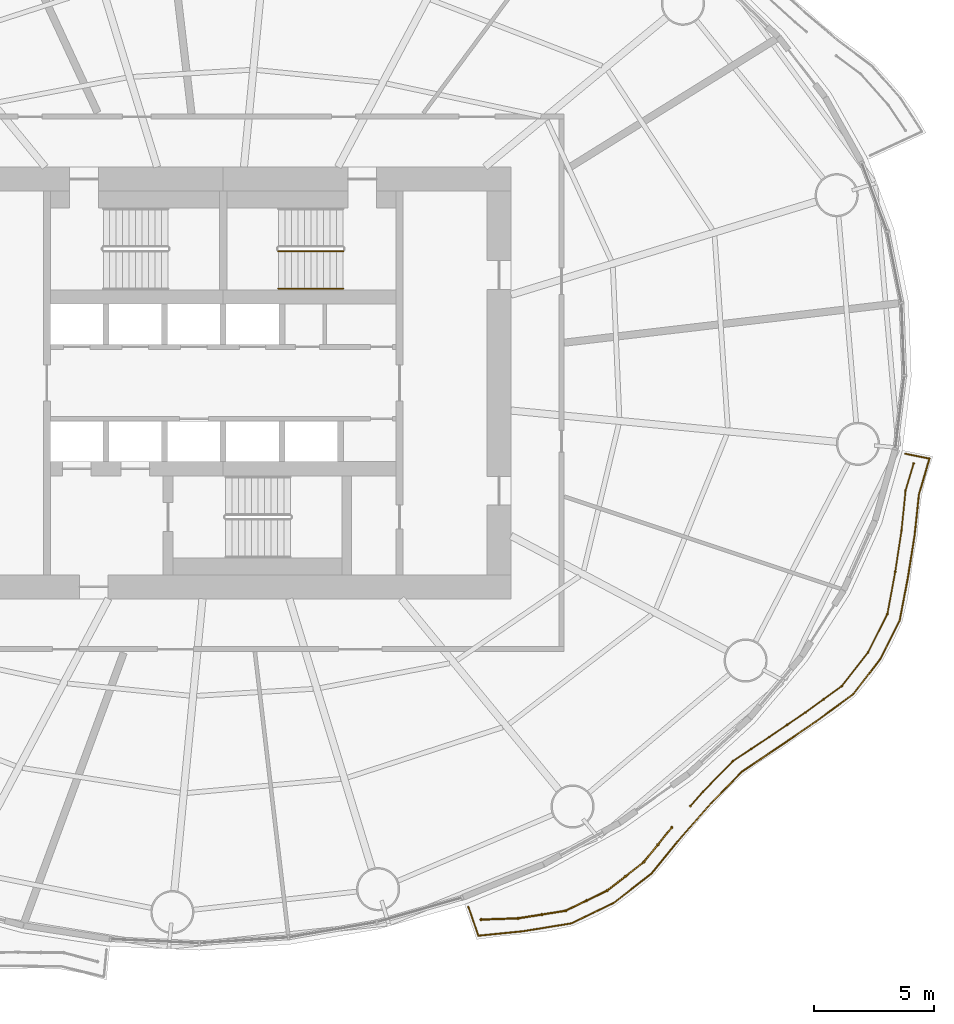
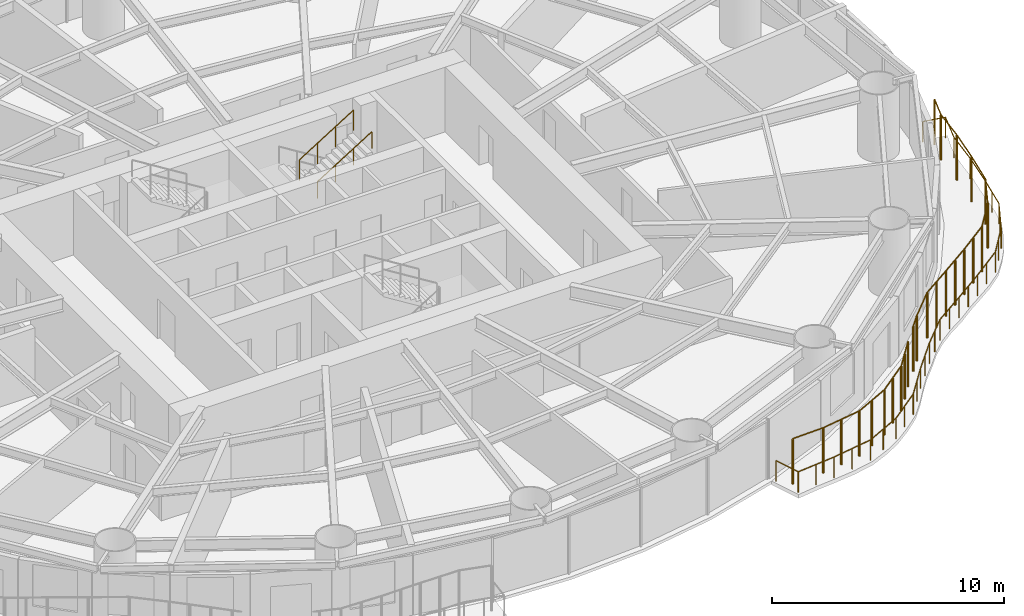
# One storey, part 14 of 16: 5 railings.
"""IFC4 building model written with IfcOpenShell, lengths in metres."""

from ifc_helpers import new_model, si_unit, direction, frame, origin, origin_2d, place, context, subcontext, project, spatial, circle, extrude, material, type_object, element, save


model = new_model("IFC4")

# Units and contexts
model_context = context("Model", 3, precision=1e-05, world=origin(), true_north=direction((0.0, 1.0)))
body_context = subcontext(model_context, "Body", "Model", "MODEL_VIEW")
ifc_project = project(units=[si_unit("LENGTHUNIT", "METRE"), si_unit("AREAUNIT", "SQUARE_METRE"), si_unit("VOLUMEUNIT", "CUBIC_METRE"), si_unit("PLANEANGLEUNIT", "RADIAN"), si_unit("MASSUNIT", "GRAM", prefix="KILO")], contexts=[model_context])

# Site, building, storey
site_placement = place(None, origin())
site = spatial("IfcSite", under=ifc_project, at=site_placement, CompositionType="ELEMENT")
building_placement = place(site_placement, origin())
building = spatial("IfcBuilding", under=site, at=building_placement, Name="Vermilion Reach Broadcast Tower", CompositionType="ELEMENT")
storey_placement = place(building_placement, frame((0.0, 0.0, 61.89990234375)))
storey = spatial("IfcBuildingStorey", under=building, at=storey_placement, Name="L12", CompositionType="ELEMENT", Elevation=61.89990234375)

# Railings
ifc_material_1 = material(Name="Terracotta baguette", Category="masonry")
railing_type_1 = type_object("IfcRailingType", Name="BAGUETTE SCREEN", PredefinedType="USERDEFINED", material=ifc_material_1)
railing_1_placement = place(storey_placement, frame((4.75390625, -22.374267578125, 0.0)))
element("IfcRailing", 1, at=railing_1_placement, inside=storey, type_object=railing_type_1, Name="Baguette screen L12 group 4 part 1", ObjectType="BAGUETTE SCREEN", PredefinedType="USERDEFINED", context=body_context, shape_type="SweptSolid", body=[
    extrude(circle(Radius=0.030029296875, at=origin_2d()), frame((0.0, 0.0, 2.369873046875), z_axis=(0.999431114961, 0.033726049982, 0.0), x_axis=(-0.033726049982, 0.999431114961, 0.0)), (0.0, 0.0, 1.0), 1.5419921875),
    extrude(circle(Radius=0.030029296875, at=origin_2d()), frame((1.541015625, 0.052001953125, 2.369873046875), z_axis=(0.987467194836, 0.157824393309, 0.0), x_axis=(-0.157824393309, 0.987467194836, 0.0)), (0.0, 0.0, 1.0), 2.00634765625),
    extrude(circle(Radius=0.030029296875, at=origin_2d()), frame((3.522216796875, 0.36865234375, 2.369873046875), z_axis=(0.899711561375, 0.436484943989, 0.0), x_axis=(-0.436484943989, 0.899711561375, 0.0)), (0.0, 0.0, 1.0), 1.92626953125),
    extrude(circle(Radius=0.030029296875, at=origin_2d()), frame((5.25537109375, 1.20947265625, 2.369873046875), z_axis=(0.788518170237, 0.61501145941, 0.0), x_axis=(-0.61501145941, 0.788518170237, 0.0)), (0.0, 0.0, 1.0), 1.9404296875),
    extrude(circle(Radius=0.030029296875, at=origin_2d()), frame((6.785400390625, 2.40283203125, 2.369873046875), z_axis=(0.628958577214, 0.777438813122, 0.0), x_axis=(-0.777438813122, 0.628958577214, 0.0)), (0.0, 0.0, 1.0), 1.846435546875),
    extrude(circle(Radius=0.050048828125, at=origin_2d()), origin(), (0.0, 0.0, 1.0), 2.33984375),
    extrude(circle(Radius=0.050048828125, at=origin_2d()), frame((1.541015625, 0.052001953125, 0.0)), (0.0, 0.0, 1.0), 2.33984375),
    extrude(circle(Radius=0.050048828125, at=origin_2d()), frame((2.53173828125, 0.21044921875, 0.0)), (0.0, 0.0, 1.0), 2.33984375),
    extrude(circle(Radius=0.050048828125, at=origin_2d()), frame((3.522216796875, 0.36865234375, 0.0)), (0.0, 0.0, 1.0), 2.33984375),
    extrude(circle(Radius=0.050048828125, at=origin_2d()), frame((4.388671875, 0.7890625, 0.0)), (0.0, 0.0, 1.0), 2.33984375),
    extrude(circle(Radius=0.050048828125, at=origin_2d()), frame((5.25537109375, 1.20947265625, 0.0)), (0.0, 0.0, 1.0), 2.33984375),
    extrude(circle(Radius=0.050048828125, at=origin_2d()), frame((6.0205078125, 1.80615234375, 0.0)), (0.0, 0.0, 1.0), 2.33984375),
    extrude(circle(Radius=0.050048828125, at=origin_2d()), frame((6.785400390625, 2.40283203125, 0.0)), (0.0, 0.0, 1.0), 2.33984375),
    extrude(circle(Radius=0.050048828125, at=origin_2d()), frame((7.3662109375, 3.12060546875, 0.0)), (0.0, 0.0, 1.0), 2.33984375),
    extrude(circle(Radius=0.050048828125, at=origin_2d()), frame((7.94677734375, 3.83837890625, 0.0)), (0.0, 0.0, 1.0), 2.33984375),
])
railing_2_placement = place(storey_placement, frame((13.476318359375, -17.643310546875, 0.0)))
element("IfcRailing", 2, at=railing_2_placement, inside=storey, type_object=railing_type_1, Name="Baguette screen L12 group 4 part 2", ObjectType="BAGUETTE SCREEN", PredefinedType="USERDEFINED", context=body_context, shape_type="SweptSolid", body=[
    extrude(circle(Radius=0.030029296875, at=origin_2d()), frame((0.0, 0.0, 2.369873046875), z_axis=(0.658352773472, 0.752709522765, 0.0), x_axis=(-0.752709522765, 0.658352773472, 0.0)), (0.0, 0.0, 1.0), 0.796875),
    extrude(circle(Radius=0.030029296875, at=origin_2d()), frame((0.524658203125, 0.599853515625, 2.369873046875), z_axis=(0.69892500088, 0.715194968624, 0.0), x_axis=(-0.715194968624, 0.69892500088, 0.0)), (0.0, 0.0, 1.0), 1.78564453125),
    extrude(circle(Radius=0.030029296875, at=origin_2d()), frame((1.772705078125, 1.876953125, 2.369873046875), z_axis=(0.83343197037, 0.552622068655, 0.0), x_axis=(-0.552622068655, 0.83343197037, 0.0)), (0.0, 0.0, 1.0), 1.81787109375),
    extrude(circle(Radius=0.030029296875, at=origin_2d()), frame((3.287841796875, 2.881591796875, 2.369873046875), z_axis=(0.827313181906, 0.561740953683, 0.0), x_axis=(-0.561740953683, 0.827313181906, 0.0)), (0.0, 0.0, 1.0), 1.8193359375),
    extrude(circle(Radius=0.030029296875, at=origin_2d()), frame((4.79296875, 3.903564453125, 2.369873046875), z_axis=(0.810080858141, 0.5863181758, 0.0), x_axis=(-0.5863181758, 0.810080858141, 0.0)), (0.0, 0.0, 1.0), 1.873291015625),
    extrude(circle(Radius=0.030029296875, at=origin_2d()), frame((6.310546875, 5.001953125, 2.369873046875), z_axis=(0.614253390257, 0.789108847091, 0.0), x_axis=(-0.789108847091, 0.614253390257, 0.0)), (0.0, 0.0, 1.0), 1.782958984375),
    extrude(circle(Radius=0.030029296875, at=origin_2d()), frame((7.40576171875, 6.408935546875, 2.369873046875), z_axis=(0.450757199511, 0.892646596974, 0.0), x_axis=(-0.892646596974, 0.450757199511, 0.0)), (0.0, 0.0, 1.0), 1.78955078125),
    extrude(circle(Radius=0.030029296875, at=origin_2d()), frame((8.21240234375, 8.00634765625, 2.369873046875), z_axis=(0.182108769904, 0.983278391873, 0.0), x_axis=(-0.983278391873, 0.182108769904, 0.0)), (0.0, 0.0, 1.0), 1.79248046875),
    extrude(circle(Radius=0.030029296875, at=origin_2d()), frame((8.538818359375, 9.768798828125, 2.369873046875), z_axis=(0.151194498767, 0.988504033144, 0.0), x_axis=(-0.988504033144, 0.151194498767, 0.0)), (0.0, 0.0, 1.0), 1.743896484375),
    extrude(circle(Radius=0.030029296875, at=origin_2d()), frame((8.802490234375, 11.49267578125, 2.369873046875), z_axis=(0.10021240955, 0.994966066242, 0.0), x_axis=(-0.994966066242, 0.10021240955, 0.0)), (0.0, 0.0, 1.0), 1.671142578125),
    extrude(circle(Radius=0.030029296875, at=origin_2d()), frame((8.969970703125, 13.155517578125, 2.369873046875), z_axis=(0.286396443948, 0.958111202781, 0.0), x_axis=(-0.958111202781, 0.286396443948, 0.0)), (0.0, 0.0, 1.0), 1.17724609375),
    extrude(circle(Radius=0.050048828125, at=origin_2d()), origin(), (0.0, 0.0, 1.0), 2.33984375),
    extrude(circle(Radius=0.050048828125, at=origin_2d()), frame((0.524658203125, 0.599853515625, 0.0)), (0.0, 0.0, 1.0), 2.33984375),
    extrude(circle(Radius=0.050048828125, at=origin_2d()), frame((1.772705078125, 1.876953125, 0.0)), (0.0, 0.0, 1.0), 2.33984375),
    extrude(circle(Radius=0.050048828125, at=origin_2d()), frame((2.5302734375, 2.37939453125, 0.0)), (0.0, 0.0, 1.0), 2.33984375),
    extrude(circle(Radius=0.050048828125, at=origin_2d()), frame((3.287841796875, 2.881591796875, 0.0)), (0.0, 0.0, 1.0), 2.33984375),
    extrude(circle(Radius=0.050048828125, at=origin_2d()), frame((4.04052734375, 3.392578125, 0.0)), (0.0, 0.0, 1.0), 2.33984375),
    extrude(circle(Radius=0.050048828125, at=origin_2d()), frame((4.79296875, 3.903564453125, 0.0)), (0.0, 0.0, 1.0), 2.33984375),
    extrude(circle(Radius=0.050048828125, at=origin_2d()), frame((5.5517578125, 4.45263671875, 0.0)), (0.0, 0.0, 1.0), 2.33984375),
    extrude(circle(Radius=0.050048828125, at=origin_2d()), frame((6.310546875, 5.001953125, 0.0)), (0.0, 0.0, 1.0), 2.33984375),
    extrude(circle(Radius=0.050048828125, at=origin_2d()), frame((7.40576171875, 6.408935546875, 0.0)), (0.0, 0.0, 1.0), 2.33984375),
    extrude(circle(Radius=0.050048828125, at=origin_2d()), frame((8.21240234375, 8.00634765625, 0.0)), (0.0, 0.0, 1.0), 2.33984375),
    extrude(circle(Radius=0.050048828125, at=origin_2d()), frame((8.538818359375, 9.768798828125, 0.0)), (0.0, 0.0, 1.0), 2.33984375),
    extrude(circle(Radius=0.050048828125, at=origin_2d()), frame((8.802490234375, 11.49267578125, 0.0)), (0.0, 0.0, 1.0), 2.33984375),
    extrude(circle(Radius=0.050048828125, at=origin_2d()), frame((8.969970703125, 13.155517578125, 0.0)), (0.0, 0.0, 1.0), 2.33984375),
    extrude(circle(Radius=0.050048828125, at=origin_2d()), frame((9.30712890625, 14.283447265625, 0.0)), (0.0, 0.0, 1.0), 2.33984375),
])
ifc_material_2 = material(Name="Stainless steel 316 balustrade", Category="steel")
railing_type_2 = type_object("IfcRailingType", Name="Balcony guard 1100", PredefinedType="BALUSTRADE", material=ifc_material_2)
railing_3_placement = place(storey_placement, frame((4.220703125, -21.841796875, 0.0)))
element("IfcRailing", 3, at=railing_3_placement, inside=storey, type_object=railing_type_2, Name="Balcony guard L12 group 4", PredefinedType="BALUSTRADE", context=body_context, shape_type="SweptSolid", body=[
    extrude(circle(Radius=0.02490234375, at=origin_2d()), frame((0.0, 0.0, 1.0751953125), z_axis=(0.327458927227, -0.944865414215, 0.0), x_axis=(0.944865414215, 0.327458927227, 0.0)), (0.0, 0.0, 1.0), 1.275634765625),
    extrude(circle(Radius=0.02490234375, at=origin_2d()), frame((0.417724609375, -1.205322265625, 1.0751953125), z_axis=(0.995019229265, 0.099683165045, 0.0), x_axis=(-0.099683165045, 0.995019229265, 0.0)), (0.0, 0.0, 1.0), 1.8857421875),
    extrude(circle(Radius=0.02490234375, at=origin_2d()), frame((2.294189453125, -1.017333984375, 1.0751953125), z_axis=(0.986811667978, 0.161872579339, 0.0), x_axis=(-0.161872579339, 0.986811667978, 0.0)), (0.0, 0.0, 1.0), 2.03759765625),
    extrude(circle(Radius=0.02490234375, at=origin_2d()), frame((4.304931640625, -0.6875, 1.0751953125), z_axis=(0.899502561331, 0.436915486288, 0.0), x_axis=(-0.436915486288, 0.899502561331, 0.0)), (0.0, 0.0, 1.0), 1.958984375),
    extrude(circle(Radius=0.02490234375, at=origin_2d()), frame((6.067138671875, 0.16845703125, 1.0751953125), z_axis=(0.789931249641, 0.61319541815, 0.0), x_axis=(-0.61319541815, 0.789931249641, 0.0)), (0.0, 0.0, 1.0), 1.97412109375),
    extrude(circle(Radius=0.02490234375, at=origin_2d()), frame((7.62646484375, 1.37890625, 1.0751953125), z_axis=(0.632902533539, 0.774231478978, 0.0), x_axis=(-0.774231478978, 0.632902533539, 0.0)), (0.0, 0.0, 1.0), 1.983154296875),
    extrude(circle(Radius=0.02490234375, at=origin_2d()), frame((8.881591796875, 2.914306640625, 1.0751953125), z_axis=(0.661224151472, 0.75018839068, 0.0), x_axis=(-0.75018839068, 0.661224151472, 0.0)), (0.0, 0.0, 1.0), 1.909912109375),
    extrude(circle(Radius=0.02490234375, at=origin_2d()), frame((10.14453125, 4.34716796875, 1.0751953125), z_axis=(0.700167923504, 0.713978206177, 0.0), x_axis=(-0.713978206177, 0.700167923504, 0.0)), (0.0, 0.0, 1.0), 1.82080078125),
    extrude(circle(Radius=0.02490234375, at=origin_2d()), frame((11.41943359375, 5.647216796875, 1.0751953125), z_axis=(0.831361138772, 0.555732540832, 0.0), x_axis=(-0.555732540832, 0.831361138772, 0.0)), (0.0, 0.0, 1.0), 1.854736328125),
    extrude(circle(Radius=0.02490234375, at=origin_2d()), frame((12.96142578125, 6.677978515625, 1.0751953125), z_axis=(0.824628891627, 0.565674103256, 0.0), x_axis=(-0.565674103256, 0.824628891627, 0.0)), (0.0, 0.0, 1.0), 1.85546875),
    extrude(circle(Radius=0.02490234375, at=origin_2d()), frame((14.491455078125, 7.7275390625, 1.0751953125), z_axis=(0.806814977447, 0.590804191054, 0.0), x_axis=(-0.590804191054, 0.806814977447, 0.0)), (0.0, 0.0, 1.0), 1.9111328125),
    extrude(circle(Radius=0.02490234375, at=origin_2d()), frame((16.033447265625, 8.856689453125, 1.0751953125), z_axis=(0.613123995892, 0.789986687015, 0.0), x_axis=(-0.789986687015, 0.613123995892, 0.0)), (0.0, 0.0, 1.0), 1.822021484375),
    extrude(circle(Radius=0.02490234375, at=origin_2d()), frame((17.150634765625, 10.296142578125, 1.0751953125), z_axis=(0.452114775364, 0.891959769215, 0.0), x_axis=(-0.891959769215, 0.452114775364, 0.0)), (0.0, 0.0, 1.0), 1.83056640625),
    extrude(circle(Radius=0.02490234375, at=origin_2d()), frame((17.978271484375, 11.928955078125, 1.0751953125), z_axis=(0.188012105444, 0.982166711005, 0.0), x_axis=(-0.982166711005, 0.188012105444, 0.0)), (0.0, 0.0, 1.0), 1.832275390625),
    extrude(circle(Radius=0.02490234375, at=origin_2d()), frame((18.32275390625, 13.728515625, 1.0751953125), z_axis=(0.156811995705, 0.987628471645, 0.0), x_axis=(-0.987628471645, 0.156811995705, 0.0)), (0.0, 0.0, 1.0), 1.78564453125),
    extrude(circle(Radius=0.02490234375, at=origin_2d()), frame((18.602783203125, 15.4921875, 1.0751953125), z_axis=(0.105708126452, 0.994397200319, 0.0), x_axis=(-0.994397200319, 0.105708126452, 0.0)), (0.0, 0.0, 1.0), 1.713623046875),
    extrude(circle(Radius=0.02490234375, at=origin_2d()), frame((18.783935546875, 17.1962890625, 1.0751953125), z_axis=(0.281757470623, 0.959485657917, 0.0), x_axis=(-0.959485657917, 0.281757470623, 0.0)), (0.0, 0.0, 1.0), 1.552001953125),
    extrude(circle(Radius=0.02490234375, at=origin_2d()), frame((19.22119140625, 18.685302734375, 1.0751953125), z_axis=(-0.980434986838, 0.196843177642, 0.0), x_axis=(-0.196843177642, -0.980434986838, 0.0)), (0.0, 0.0, 1.0), 1.033203125),
    extrude(circle(Radius=0.02490234375, at=origin_2d()), origin(), (0.0, 0.0, 1.0), 1.050048828125),
    extrude(circle(Radius=0.02490234375, at=origin_2d()), frame((0.417724609375, -1.205322265625, 0.0)), (0.0, 0.0, 1.0), 1.050048828125),
    extrude(circle(Radius=0.02490234375, at=origin_2d()), frame((1.35595703125, -1.111328125, 0.0)), (0.0, 0.0, 1.0), 1.050048828125),
    extrude(circle(Radius=0.02490234375, at=origin_2d()), frame((2.294189453125, -1.017333984375, 0.0)), (0.0, 0.0, 1.0), 1.050048828125),
    extrude(circle(Radius=0.02490234375, at=origin_2d()), frame((3.299560546875, -0.8525390625, 0.0)), (0.0, 0.0, 1.0), 1.050048828125),
    extrude(circle(Radius=0.02490234375, at=origin_2d()), frame((4.304931640625, -0.6875, 0.0)), (0.0, 0.0, 1.0), 1.050048828125),
    extrude(circle(Radius=0.02490234375, at=origin_2d()), frame((5.18603515625, -0.259521484375, 0.0)), (0.0, 0.0, 1.0), 1.050048828125),
    extrude(circle(Radius=0.02490234375, at=origin_2d()), frame((6.067138671875, 0.16845703125, 0.0)), (0.0, 0.0, 1.0), 1.050048828125),
    extrude(circle(Radius=0.02490234375, at=origin_2d()), frame((6.8466796875, 0.773681640625, 0.0)), (0.0, 0.0, 1.0), 1.050048828125),
    extrude(circle(Radius=0.02490234375, at=origin_2d()), frame((7.62646484375, 1.37890625, 0.0)), (0.0, 0.0, 1.0), 1.050048828125),
    extrude(circle(Radius=0.02490234375, at=origin_2d()), frame((8.25390625, 2.146484375, 0.0)), (0.0, 0.0, 1.0), 1.050048828125),
    extrude(circle(Radius=0.02490234375, at=origin_2d()), frame((8.881591796875, 2.914306640625, 0.0)), (0.0, 0.0, 1.0), 1.050048828125),
    extrude(circle(Radius=0.02490234375, at=origin_2d()), frame((9.51318359375, 3.630859375, 0.0)), (0.0, 0.0, 1.0), 1.050048828125),
    extrude(circle(Radius=0.02490234375, at=origin_2d()), frame((10.14453125, 4.34716796875, 0.0)), (0.0, 0.0, 1.0), 1.050048828125),
    extrude(circle(Radius=0.02490234375, at=origin_2d()), frame((10.781982421875, 4.9970703125, 0.0)), (0.0, 0.0, 1.0), 1.050048828125),
    extrude(circle(Radius=0.02490234375, at=origin_2d()), frame((11.41943359375, 5.647216796875, 0.0)), (0.0, 0.0, 1.0), 1.050048828125),
    extrude(circle(Radius=0.02490234375, at=origin_2d()), frame((12.1904296875, 6.16259765625, 0.0)), (0.0, 0.0, 1.0), 1.050048828125),
    extrude(circle(Radius=0.02490234375, at=origin_2d()), frame((12.96142578125, 6.677978515625, 0.0)), (0.0, 0.0, 1.0), 1.050048828125),
    extrude(circle(Radius=0.02490234375, at=origin_2d()), frame((13.7265625, 7.20263671875, 0.0)), (0.0, 0.0, 1.0), 1.050048828125),
    extrude(circle(Radius=0.02490234375, at=origin_2d()), frame((14.491455078125, 7.7275390625, 0.0)), (0.0, 0.0, 1.0), 1.050048828125),
    extrude(circle(Radius=0.02490234375, at=origin_2d()), frame((15.262451171875, 8.2919921875, 0.0)), (0.0, 0.0, 1.0), 1.050048828125),
    extrude(circle(Radius=0.02490234375, at=origin_2d()), frame((16.033447265625, 8.856689453125, 0.0)), (0.0, 0.0, 1.0), 1.050048828125),
    extrude(circle(Radius=0.02490234375, at=origin_2d()), frame((16.592041015625, 9.576416015625, 0.0)), (0.0, 0.0, 1.0), 1.050048828125),
    extrude(circle(Radius=0.02490234375, at=origin_2d()), frame((17.150634765625, 10.296142578125, 0.0)), (0.0, 0.0, 1.0), 1.050048828125),
    extrude(circle(Radius=0.02490234375, at=origin_2d()), frame((17.564453125, 11.112548828125, 0.0)), (0.0, 0.0, 1.0), 1.050048828125),
    extrude(circle(Radius=0.02490234375, at=origin_2d()), frame((17.978271484375, 11.928955078125, 0.0)), (0.0, 0.0, 1.0), 1.050048828125),
    extrude(circle(Radius=0.02490234375, at=origin_2d()), frame((18.150390625, 12.82861328125, 0.0)), (0.0, 0.0, 1.0), 1.050048828125),
    extrude(circle(Radius=0.02490234375, at=origin_2d()), frame((18.32275390625, 13.728515625, 0.0)), (0.0, 0.0, 1.0), 1.050048828125),
    extrude(circle(Radius=0.02490234375, at=origin_2d()), frame((18.602783203125, 15.4921875, 0.0)), (0.0, 0.0, 1.0), 1.050048828125),
    extrude(circle(Radius=0.02490234375, at=origin_2d()), frame((18.783935546875, 17.1962890625, 0.0)), (0.0, 0.0, 1.0), 1.050048828125),
    extrude(circle(Radius=0.02490234375, at=origin_2d()), frame((19.22119140625, 18.685302734375, 0.0)), (0.0, 0.0, 1.0), 1.050048828125),
    extrude(circle(Radius=0.02490234375, at=origin_2d()), frame((18.208251953125, 18.888671875, 0.0)), (0.0, 0.0, 1.0), 1.050048828125),
])
ifc_material_3 = material(Name="Stainless steel", Category="steel")
railing_type_3 = type_object("IfcRailingType", Name="Stair guard 1100", PredefinedType="GUARDRAIL", material=ifc_material_3)
railing_4_placement = place(storey_placement, frame((-3.699951171875, 5.489990234375, 2.018310546875)))
element("IfcRailing", 4, at=railing_4_placement, inside=storey, type_object=railing_type_3, Name="L12 ST2 stair guard 3", PredefinedType="GUARDRAIL", context=body_context, shape_type="SweptSolid", body=[
    extrude(circle(Radius=0.02392578125, at=origin_2d()), frame((0.0, 0.0, 1.076171875), z_axis=(0.848786430784, 0.0, 0.528735846068), x_axis=(0.0, 1.0, 0.0)), (0.0, 0.0, 1.0), 3.180908203125),
    extrude(circle(Radius=0.02099609375, at=origin_2d()), origin(), (0.0, 0.0, 1.0), 1.052001953125),
    extrude(circle(Radius=0.02099609375, at=origin_2d()), frame((0.89990234375, 0.0, 0.560546875)), (0.0, 0.0, 1.0), 1.052001953125),
    extrude(circle(Radius=0.02099609375, at=origin_2d()), frame((1.800048828125, 0.0, 1.121337890625)), (0.0, 0.0, 1.0), 1.052001953125),
    extrude(circle(Radius=0.02099609375, at=origin_2d()), frame((2.699951171875, 0.0, 1.681884765625)), (0.0, 0.0, 1.0), 1.052001953125),
])
ifc_material_4 = material(Name="Stainless steel", Category="steel")
railing_type_4 = type_object("IfcRailingType", Name="Stair handrail", PredefinedType="HANDRAIL", material=ifc_material_4)
railing_5_placement = place(storey_placement, frame((-3.699951171875, 3.929931640625, 2.018310546875)))
element("IfcRailing", 5, at=railing_5_placement, inside=storey, type_object=railing_type_4, Name="L12 ST2 stair handrail 2", PredefinedType="HANDRAIL", context=body_context, shape_type="SweptSolid", body=[
    extrude(circle(Radius=0.02392578125, at=origin_2d()), frame((0.0, 0.0, 0.8759765625), z_axis=(0.848786430784, 0.0, 0.528735846068), x_axis=(0.0, 1.0, 0.0)), (0.0, 0.0, 1.0), 3.180908203125),
    extrude(circle(Radius=0.02099609375, at=origin_2d()), origin(), (0.0, 0.0, 1.0), 0.851806640625),
    extrude(circle(Radius=0.02099609375, at=origin_2d()), frame((0.89990234375, 0.0, 0.560546875)), (0.0, 0.0, 1.0), 0.851806640625),
    extrude(circle(Radius=0.02099609375, at=origin_2d()), frame((1.800048828125, 0.0, 1.121337890625)), (0.0, 0.0, 1.0), 0.851806640625),
    extrude(circle(Radius=0.02099609375, at=origin_2d()), frame((2.699951171875, 0.0, 1.681884765625)), (0.0, 0.0, 1.0), 0.851806640625),
])

save(model, "model.ifc")
